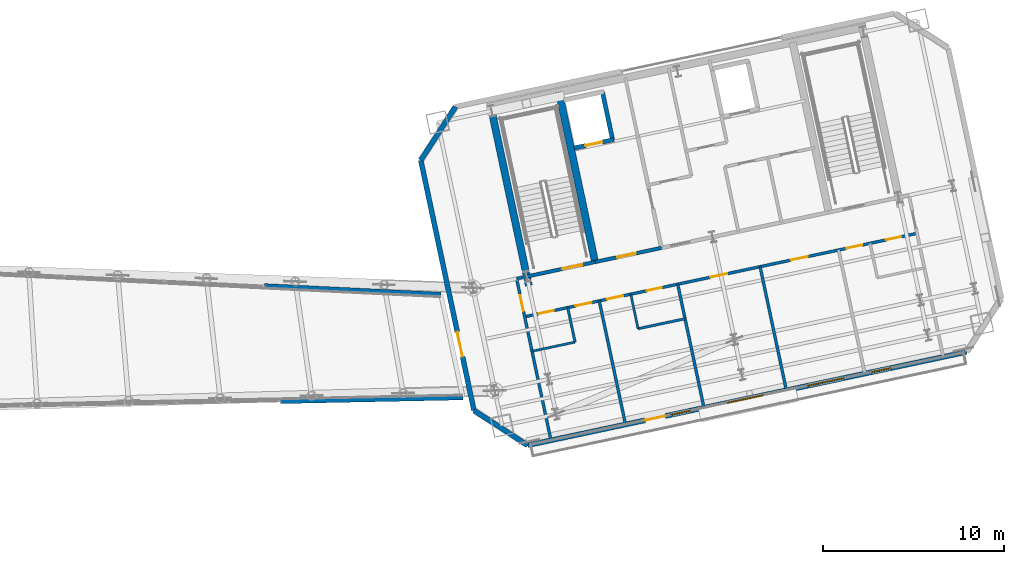
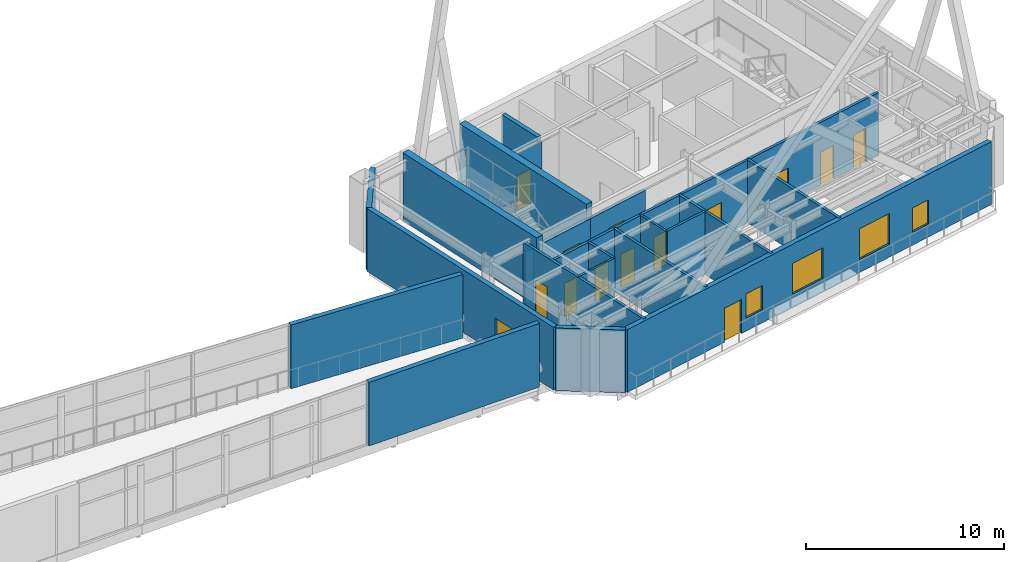
# One storey, part 17 of 23: 22 walls, 14 doors, 4 windows, 18 openings.
"""IFC4 building model written with IfcOpenShell, lengths in metres."""

from ifc_helpers import new_model, si_unit, direction, frame, frame_2d, origin, place, context, subcontext, project, spatial, rectangle, extrude, material, layer, layer_set, type_object, element, fill, save


model = new_model("IFC4")

# Units and contexts
model_context = context("Model", 3, precision=1e-05, world=origin(), true_north=direction((0.0, 1.0)))
body_context = subcontext(model_context, "Body", "Model", "MODEL_VIEW")
ifc_project = project(units=[si_unit("LENGTHUNIT", "METRE"), si_unit("AREAUNIT", "SQUARE_METRE"), si_unit("VOLUMEUNIT", "CUBIC_METRE"), si_unit("PLANEANGLEUNIT", "RADIAN"), si_unit("MASSUNIT", "GRAM", prefix="KILO")], contexts=[model_context])

# Site, building, storey
site_placement = place(None, origin())
site = spatial("IfcSite", under=ifc_project, at=site_placement, CompositionType="ELEMENT")
building_placement = place(site_placement, origin())
building = spatial("IfcBuilding", under=site, at=building_placement, Name="Haevon Station Towers", CompositionType="ELEMENT")
storey_placement = place(building_placement, frame((0.0, 0.0, 197.10009765625)))
storey = spatial("IfcBuildingStorey", under=building, at=storey_placement, Name="L54", CompositionType="ELEMENT", Elevation=197.10009765625)

# Wall, opening, door
ifc_material_1 = material(Name="Gypsum board on steel stud", Category="steel")
ifc_layer_1 = layer(ifc_material_1, 0.199951171875)
ifc_layer_set_1 = layer_set([ifc_layer_1], Name="Gypsum board on steel stud")
wall_type_1 = type_object("IfcWallType", Name="WL-COR200", PredefinedType="PARTITIONING", material=ifc_layer_set_1)
wall_1_placement = place(storey_placement, frame((98.75244140625, 37.4423828125, 0.0), z_axis=(0.0, 0.0, 1.0), x_axis=(0.978143537786, 0.207930804564, 0.0)))
wall_1 = element("IfcWall", 1, at=wall_1_placement, inside=storey, type_object=wall_type_1, Name="WL-ST-ST3-L54", PredefinedType="PARTITIONING", context=body_context, shape_type="SweptSolid", body=[
    extrude(rectangle(XDim=3.85009765625, YDim=0.199951171875, at=frame_2d((1.925048828125, 0.0))), origin(), (0.0, 0.0, 1.0), 3.27978515625),
])
opening_1_placement = place(wall_1_placement, frame((2.0, 0.0, 0.0)))
opening_1 = element("IfcOpeningElement", 2, at=opening_1_placement, cuts=wall_1, Name="Opening DR-ST-ST3-L54", PredefinedType="OPENING", context=body_context, shape_type="SweptSolid", body=[
    extrude(rectangle(XDim=1.1201171875, YDim=2.10009765625, at=frame_2d((0.56005859375, 1.050048828125))), frame((0.0, 0.10986328125, 0.0), z_axis=(0.0, -1.0, 0.0), x_axis=(1.0, 0.0, 0.0)), (0.0, 0.0, 1.0), 0.219970703125),
])
ifc_material_2 = material(Name="Engineered oak timber", Category="wood")
door_type_1 = type_object("IfcDoorType", Name="DR-ST-1120", OperationType="NOTDEFINED", PredefinedType="DOOR", material=ifc_material_2)
door_1_placement = place(opening_1_placement, origin())
door_1 = element("IfcDoor", 3, at=door_1_placement, inside=storey, type_object=door_type_1, Name="L54 Escape Stair ST3 Fire Door", OperationType="SINGLE_SWING_LEFT", OverallHeight=2.10009765625, OverallWidth=1.1201171875, PredefinedType="DOOR", context=body_context, shape_type="SweptSolid", body=[
    extrude(rectangle(XDim=1.1201171875, YDim=2.10009765625, at=frame_2d((0.56005859375, 1.050048828125))), frame((0.0, 0.02490234375, 0.0), z_axis=(0.0, -1.0, 0.0), x_axis=(1.0, 0.0, 0.0)), (0.0, 0.0, 1.0), 0.050048828125),
])
fill(opening_1, door_1)

wall_2_placement = place(storey_placement, frame((102.518310546875, 38.242919921875, 0.0), z_axis=(0.0, 0.0, 1.0), x_axis=(0.978153555683, 0.20788367301, 0.0)))
wall_2 = element("IfcWall", 4, at=wall_2_placement, inside=storey, type_object=wall_type_1, Name="WL-T2FFL-L54-S", PredefinedType="PARTITIONING", context=body_context, shape_type="SweptSolid", body=[
    extrude(rectangle(XDim=3.75, YDim=0.199951171875, at=frame_2d((1.875, 0.0))), origin(), (0.0, 0.0, 1.0), 3.27978515625),
])
opening_2_placement = place(wall_2_placement, frame((1.25, 0.0, 0.0)))
opening_2 = element("IfcOpeningElement", 5, at=opening_2_placement, cuts=wall_2, Name="Opening DR-T2FFL-L54-S", PredefinedType="OPENING", context=body_context, shape_type="SweptSolid", body=[
    extrude(rectangle(XDim=1.050048828125, YDim=2.10009765625, at=frame_2d((0.52490234375, 1.050048828125))), frame((0.0, 0.10986328125, 0.0), z_axis=(0.0, -1.0, 0.0), x_axis=(1.0, 0.0, 0.0)), (0.0, 0.0, 1.0), 0.219970703125),
])
door_type_2 = type_object("IfcDoorType", Name="DR-FD60-1050", OperationType="NOTDEFINED", PredefinedType="DOOR", material=ifc_material_2)
door_2_placement = place(opening_2_placement, origin())
door_2 = element("IfcDoor", 6, at=door_2_placement, inside=storey, type_object=door_type_2, Name="L54 Tower 2 Firefighting Lift Lobby Door S", OperationType="SINGLE_SWING_RIGHT", OverallHeight=2.10009765625, OverallWidth=1.050048828125, PredefinedType="DOOR", context=body_context, shape_type="SweptSolid", body=[
    extrude(rectangle(XDim=1.050048828125, YDim=2.10009765625, at=frame_2d((0.52490234375, 1.050048828125))), frame((0.0, 0.02490234375, 0.0), z_axis=(0.0, -1.0, 0.0), x_axis=(1.0, 0.0, 0.0)), (0.0, 0.0, 1.0), 0.050048828125),
])
fill(opening_2, door_2)

# Walls
ifc_material_3 = material(Name="Concrete C60/75", Category="concrete")
ifc_layer_2 = layer(ifc_material_3, 0.39990234375)
ifc_layer_set_2 = layer_set([ifc_layer_2], Name="Concrete C60/75")
wall_type_2 = type_object("IfcWallType", Name="WL-CR400", PredefinedType="SHEAR", material=ifc_layer_set_2)
wall_3_placement = place(storey_placement, frame((98.8603515625, 36.933837890625, 0.0), z_axis=(0.0, 0.0, 1.0), x_axis=(-0.20790924889, 0.978148119778, 0.0)))
element("IfcWall", 7, at=wall_3_placement, inside=storey, type_object=wall_type_2, Name="WL-T2CR-L54-W", PredefinedType="SHEAR", context=body_context, shape_type="SweptSolid", body=[
    extrude(rectangle(XDim=10.119873046875, YDim=0.39990234375, at=frame_2d((5.06005859375, 0.0))), origin(), (0.0, 0.0, 1.0), 4.199951171875),
])
wall_4_placement = place(storey_placement, frame((102.518310546875, 38.242919921875, 0.0), z_axis=(0.0, 0.0, 1.0), x_axis=(-0.207927495108, 0.978144241295, 0.0)))
element("IfcWall", 8, at=wall_4_placement, inside=storey, type_object=wall_type_2, Name="WL-T2CR-L54-M1", PredefinedType="SHEAR", context=body_context, shape_type="SweptSolid", body=[
    extrude(rectangle(XDim=9.599853515625, YDim=0.39990234375, at=frame_2d((4.7998046875, 0.0))), origin(), (0.0, 0.0, 1.0), 4.199951171875),
])

# Wall, openings, door, windows
ifc_material_4 = material(Name="Precast concrete C45/55", Category="concrete")
ifc_layer_3 = layer(ifc_material_4, 0.280029296875)
ifc_layer_set_3 = layer_set([ifc_layer_3], Name="Precast concrete C45/55")
wall_type_3 = type_object("IfcWallType", Name="WL-EXT-PIER280", PredefinedType="SOLIDWALL", material=ifc_layer_set_3)
wall_5_placement = place(storey_placement, frame((123.050048828125, 33.273193359375, 0.0), z_axis=(0.0, 0.0, 1.0), x_axis=(-0.97814726544, -0.207913268245, 0.0)))
wall_5 = element("IfcWall", 9, at=wall_5_placement, inside=storey, type_object=wall_type_3, Name="WL-T2-L54-S", PredefinedType="SOLIDWALL", context=body_context, shape_type="SweptSolid", body=[
    extrude(rectangle(XDim=24.800048828125, YDim=0.280029296875, at=frame_2d((12.39990234375, 0.0))), origin(), (0.0, 0.0, 1.0), 3.8798828125),
])
opening_3_placement = place(wall_5_placement, frame((17.01904296875, 0.0, 0.0)))
opening_3 = element("IfcOpeningElement", 10, at=opening_3_placement, cuts=wall_5, Name="Opening DR-T2-SKYG-L54", PredefinedType="OPENING", context=body_context, shape_type="SweptSolid", body=[
    extrude(rectangle(XDim=1.14990234375, YDim=2.10009765625, at=frame_2d((0.574951171875, 1.050048828125))), frame((0.0, 0.14990234375, 0.0), z_axis=(0.0, -1.0, 0.0), x_axis=(1.0, 0.0, 0.0)), (0.0, 0.0, 1.0), 0.300048828125),
])
opening_4_placement = place(wall_5_placement, frame((15.603515625, 0.0, 0.800048828125)))
opening_4 = element("IfcOpeningElement", 11, at=opening_4_placement, cuts=wall_5, Name="Opening WN-COR110", PredefinedType="OPENING", context=body_context, shape_type="SweptSolid", body=[
    extrude(rectangle(XDim=1.10009765625, YDim=1.5, at=frame_2d((0.550048828125, 0.75))), frame((0.0, 0.14990234375, 0.0), z_axis=(0.0, -1.0, 0.0), x_axis=(1.0, 0.0, 0.0)), (0.0, 0.0, 1.0), 0.300048828125),
])
opening_5_placement = place(wall_5_placement, frame((11.48583984375, 0.0, 0.800048828125)))
opening_5 = element("IfcOpeningElement", 12, at=opening_5_placement, cuts=wall_5, Name="Opening WN-P205", PredefinedType="OPENING", context=body_context, shape_type="SweptSolid", body=[
    extrude(rectangle(XDim=2.050048828125, YDim=1.89990234375, at=frame_2d((1.02490234375, 0.949951171875))), frame((0.0, 0.14990234375, 0.0), z_axis=(0.0, -1.0, 0.0), x_axis=(1.0, 0.0, 0.0)), (0.0, 0.0, 1.0), 0.300048828125),
])
opening_6_placement = place(wall_5_placement, frame((6.943115234375, 0.0, 0.800048828125)))
opening_6 = element("IfcOpeningElement", 13, at=opening_6_placement, cuts=wall_5, Name="Opening WN-P205", PredefinedType="OPENING", context=body_context, shape_type="SweptSolid", body=[
    extrude(rectangle(XDim=2.050048828125, YDim=1.89990234375, at=frame_2d((1.02490234375, 0.949951171875))), frame((0.0, 0.14990234375, 0.0), z_axis=(0.0, -1.0, 0.0), x_axis=(1.0, 0.0, 0.0)), (0.0, 0.0, 1.0), 0.300048828125),
])
opening_7_placement = place(wall_5_placement, frame((4.27197265625, 0.0, 0.800048828125)))
opening_7 = element("IfcOpeningElement", 14, at=opening_7_placement, cuts=wall_5, Name="Opening WN-COR110", PredefinedType="OPENING", context=body_context, shape_type="SweptSolid", body=[
    extrude(rectangle(XDim=1.10009765625, YDim=1.5, at=frame_2d((0.550048828125, 0.75))), frame((0.0, 0.14990234375, 0.0), z_axis=(0.0, -1.0, 0.0), x_axis=(1.0, 0.0, 0.0)), (0.0, 0.0, 1.0), 0.300048828125),
])
ifc_material_5 = material(Name="Thermally broken anodised aluminium and laminated safety glass", Category="aluminium")
door_type_3 = type_object("IfcDoorType", Name="DR-BALC-1150", OperationType="NOTDEFINED", PredefinedType="DOOR", material=ifc_material_5)
door_3_placement = place(opening_3_placement, origin())
door_3 = element("IfcDoor", 15, at=door_3_placement, inside=storey, type_object=door_type_3, Name="Tower 2 L54 Sky Garden Terrace Door", OperationType="SINGLE_SWING_RIGHT", OverallHeight=2.10009765625, OverallWidth=1.14990234375, PredefinedType="DOOR", context=body_context, shape_type="SweptSolid", body=[
    extrude(rectangle(XDim=1.14990234375, YDim=2.10009765625, at=frame_2d((0.574951171875, 1.050048828125))), frame((0.0, 0.02490234375, 0.0), z_axis=(0.0, -1.0, 0.0), x_axis=(1.0, 0.0, 0.0)), (0.0, 0.0, 1.0), 0.050048828125),
])
fill(opening_3, door_3)
ifc_material_6 = material(Name="Low-E triple glazing in thermally broken aluminium", Category="aluminium")
window_type_1 = type_object("IfcWindowType", Name="WN-COR110", PartitioningType="SINGLE_PANEL", PredefinedType="WINDOW", material=ifc_material_6)
window_1_placement = place(opening_4_placement, origin())
window_1 = element("IfcWindow", 16, at=window_1_placement, inside=storey, type_object=window_type_1, Name="WN-T2-L54-S01", OverallHeight=1.5, OverallWidth=1.10009765625, PartitioningType="SINGLE_PANEL", PredefinedType="WINDOW", context=body_context, shape_type="SweptSolid", body=[
    extrude(rectangle(XDim=1.10009765625, YDim=1.5, at=frame_2d((0.550048828125, 0.75))), frame((0.0, 0.030029296875, 0.0), z_axis=(0.0, -1.0, 0.0), x_axis=(1.0, 0.0, 0.0)), (0.0, 0.0, 1.0), 0.06005859375),
])
fill(opening_4, window_1)
window_2_placement = place(opening_7_placement, origin())
window_2 = element("IfcWindow", 17, at=window_2_placement, inside=storey, type_object=window_type_1, Name="WN-T2-L54-S04", OverallHeight=1.5, OverallWidth=1.10009765625, PartitioningType="SINGLE_PANEL", PredefinedType="WINDOW", context=body_context, shape_type="SweptSolid", body=[
    extrude(rectangle(XDim=1.10009765625, YDim=1.5, at=frame_2d((0.550048828125, 0.75))), frame((0.0, 0.030029296875, 0.0), z_axis=(0.0, -1.0, 0.0), x_axis=(1.0, 0.0, 0.0)), (0.0, 0.0, 1.0), 0.06005859375),
])
fill(opening_7, window_2)
window_type_2 = type_object("IfcWindowType", Name="WN-P205", PartitioningType="SINGLE_PANEL", PredefinedType="WINDOW", material=ifc_material_6)
window_3_placement = place(opening_5_placement, origin())
window_3 = element("IfcWindow", 18, at=window_3_placement, inside=storey, type_object=window_type_2, Name="WN-T2-L54-S02", OverallHeight=1.89990234375, OverallWidth=2.050048828125, PartitioningType="SINGLE_PANEL", PredefinedType="WINDOW", context=body_context, shape_type="SweptSolid", body=[
    extrude(rectangle(XDim=2.050048828125, YDim=1.89990234375, at=frame_2d((1.02490234375, 0.949951171875))), frame((0.0, 0.030029296875, 0.0), z_axis=(0.0, -1.0, 0.0), x_axis=(1.0, 0.0, 0.0)), (0.0, 0.0, 1.0), 0.06005859375),
])
fill(opening_5, window_3)
window_4_placement = place(opening_6_placement, origin())
window_4 = element("IfcWindow", 19, at=window_4_placement, inside=storey, type_object=window_type_2, Name="WN-T2-L54-S03", OverallHeight=1.89990234375, OverallWidth=2.050048828125, PartitioningType="SINGLE_PANEL", PredefinedType="WINDOW", context=body_context, shape_type="SweptSolid", body=[
    extrude(rectangle(XDim=2.050048828125, YDim=1.89990234375, at=frame_2d((1.02490234375, 0.949951171875))), frame((0.0, 0.030029296875, 0.0), z_axis=(0.0, -1.0, 0.0), x_axis=(1.0, 0.0, 0.0)), (0.0, 0.0, 1.0), 0.06005859375),
])
fill(opening_6, window_4)

# Wall
wall_6_placement = place(storey_placement, frame((98.7919921875, 28.116943359375, 0.0), z_axis=(0.0, 0.0, 1.0), x_axis=(-0.838672309694, 0.544636352948, 0.0)))
element("IfcWall", 20, at=wall_6_placement, inside=storey, type_object=wall_type_3, Name="WL-T2-L54-SWC", PredefinedType="SOLIDWALL", context=body_context, shape_type="SweptSolid", body=[
    extrude(rectangle(XDim=3.535400390625, YDim=0.280029296875, at=frame_2d((1.767578125, 0.0))), origin(), (0.0, 0.0, 1.0), 3.8798828125),
])

# Wall, opening, door
wall_7_placement = place(storey_placement, frame((95.826904296875, 30.04248046875, 0.0), z_axis=(0.0, 0.0, 1.0), x_axis=(-0.207907523802, 0.978148486451, 0.0)))
wall_7 = element("IfcWall", 21, at=wall_7_placement, inside=storey, type_object=wall_type_3, Name="WL-T2-L54-W", PredefinedType="SOLIDWALL", context=body_context, shape_type="SweptSolid", body=[
    extrude(rectangle(XDim=14.130126953125, YDim=0.280029296875, at=frame_2d((7.06494140625, 0.0))), origin(), (0.0, 0.0, 1.0), 3.8798828125),
])
opening_8_placement = place(wall_7_placement, frame((3.030029296875, 0.0, 0.0)))
opening_8 = element("IfcOpeningElement", 22, at=opening_8_placement, cuts=wall_7, Name="Opening DR-SKP-T2-L54", PredefinedType="OPENING", context=body_context, shape_type="SweptSolid", body=[
    extrude(rectangle(XDim=1.39990234375, YDim=2.14990234375, at=frame_2d((0.699951171875, 1.074951171875))), frame((0.0, 0.14990234375, 0.0), z_axis=(0.0, -1.0, 0.0), x_axis=(1.0, 0.0, 0.0)), (0.0, 0.0, 1.0), 0.300048828125),
])
door_type_4 = type_object("IfcDoorType", Name="DR-SKP-1400", OperationType="NOTDEFINED", PredefinedType="DOOR", material=ifc_material_5)
door_4_placement = place(opening_8_placement, origin())
door_4 = element("IfcDoor", 23, at=door_4_placement, inside=storey, type_object=door_type_4, Name="Sky-Park Bridge Level L54 Tower 2 Fire Link Door", OperationType="SINGLE_SWING_LEFT", OverallHeight=2.14990234375, OverallWidth=1.39990234375, PredefinedType="DOOR", context=body_context, shape_type="SweptSolid", body=[
    extrude(rectangle(XDim=1.39990234375, YDim=2.14990234375, at=frame_2d((0.699951171875, 1.074951171875))), frame((0.0, 0.02490234375, 0.0), z_axis=(0.0, -1.0, 0.0), x_axis=(1.0, 0.0, 0.0)), (0.0, 0.0, 1.0), 0.050048828125),
])
fill(opening_8, door_4)

# Walls
wall_8_placement = place(storey_placement, frame((92.88916015625, 43.86376953125, 0.0), z_axis=(0.0, 0.0, 1.0), x_axis=(0.544636352948, 0.838672309694, 0.0)))
element("IfcWall", 24, at=wall_8_placement, inside=storey, type_object=wall_type_3, Name="WL-T2-L54-NWC", PredefinedType="SOLIDWALL", context=body_context, shape_type="SweptSolid", body=[
    extrude(rectangle(XDim=3.535400390625, YDim=0.280029296875, at=frame_2d((1.767578125, 0.0))), origin(), (0.0, 0.0, 1.0), 3.8798828125),
])
wall_9_placement = place(storey_placement, frame((85.134033203125, 30.555419921875, 0.0), z_axis=(0.0, 0.0, 1.0), x_axis=(0.999792614118, 0.020364890246, 0.0)))
element("IfcWall", 25, at=wall_9_placement, inside=storey, type_object=wall_type_3, Name="WL-SKP-L54-SE", PredefinedType="SOLIDWALL", context=body_context, shape_type="SweptSolid", body=[
    extrude(rectangle(XDim=10.082275390625, YDim=0.280029296875, at=frame_2d((5.041015625, 0.0))), origin(), (0.0, 0.0, 1.0), 3.929931640625),
])
wall_10_placement = place(storey_placement, frame((84.253662109375, 36.910888671875, 0.0), z_axis=(0.0, 0.0, 1.0), x_axis=(0.998807509735, -0.048821701077, 0.0)))
element("IfcWall", 26, at=wall_10_placement, inside=storey, type_object=wall_type_3, Name="WL-SKP-L54-NE", PredefinedType="SOLIDWALL", context=body_context, shape_type="SweptSolid", body=[
    extrude(rectangle(XDim=9.766357421875, YDim=0.280029296875, at=frame_2d((4.88330078125, 0.0))), origin(), (0.0, 0.0, 1.0), 3.929931640625),
])
ifc_layer_4 = layer(ifc_material_1, 0.125)
ifc_layer_set_4 = layer_set([ifc_layer_4], Name="Gypsum board on steel stud")
wall_type_4 = type_object("IfcWallType", Name="WL-PRT125", PredefinedType="PARTITIONING", material=ifc_layer_set_4)
wall_11_placement = place(storey_placement, frame((99.037353515625, 33.3115234375, 0.0), z_axis=(0.0, 0.0, 1.0), x_axis=(0.978165487905, 0.207827520484, 0.0)))
element("IfcWall", 27, at=wall_11_placement, inside=storey, type_object=wall_type_4, Name="WL-T2PT-L54-05", PredefinedType="PARTITIONING", context=body_context, shape_type="SweptSolid", body=[
    extrude(rectangle(XDim=2.430419921875, YDim=0.125, at=frame_2d((1.21533203125, 0.0))), origin(), (0.0, 0.0, 1.0), 3.8798828125),
])
wall_12_placement = place(storey_placement, frame((104.89697265625, 34.556884765625, 0.0), z_axis=(0.0, 0.0, 1.0), x_axis=(-0.207947096322, 0.978140074392, 0.0)))
element("IfcWall", 28, at=wall_12_placement, inside=storey, type_object=wall_type_4, Name="WL-T2PT-L54-09", PredefinedType="PARTITIONING", context=body_context, shape_type="SweptSolid", body=[
    extrude(rectangle(XDim=1.9501953125, YDim=0.125, at=frame_2d((0.97509765625, 0.0))), origin(), (0.0, 0.0, 1.0), 3.8798828125),
])
ifc_layer_5 = layer(ifc_material_1, 0.139892578125)
ifc_layer_set_5 = layer_set([ifc_layer_5], Name="Gypsum board on steel stud")
wall_type_5 = type_object("IfcWallType", Name="WL-PRT140", PredefinedType="PARTITIONING", material=ifc_layer_set_5)
wall_13_placement = place(storey_placement, frame((101.414794921875, 33.816650390625, 0.0), z_axis=(0.0, 0.0, 1.0), x_axis=(-0.207947096322, 0.978140074392, 0.0)))
element("IfcWall", 29, at=wall_13_placement, inside=storey, type_object=wall_type_5, Name="WL-T2PT-L54-06", PredefinedType="PARTITIONING", context=body_context, shape_type="SweptSolid", body=[
    extrude(rectangle(XDim=1.9501953125, YDim=0.139892578125, at=frame_2d((0.97509765625, 0.0))), origin(), (0.0, 0.0, 1.0), 3.8798828125),
])
wall_14_placement = place(storey_placement, frame((104.89697265625, 34.556884765625, 0.0), z_axis=(0.0, 0.0, 1.0), x_axis=(0.978155341176, 0.207875271565, 0.0)))
element("IfcWall", 30, at=wall_14_placement, inside=storey, type_object=wall_type_5, Name="WL-T2PT-L54-08", PredefinedType="PARTITIONING", context=body_context, shape_type="SweptSolid", body=[
    extrude(rectangle(XDim=2.65185546875, YDim=0.139892578125, at=frame_2d((1.325927734375, 0.0))), origin(), (0.0, 0.0, 1.0), 3.8798828125),
])
ifc_layer_6 = layer(ifc_material_1, 0.159912109375)
ifc_layer_set_6 = layer_set([ifc_layer_6], Name="Gypsum board on steel stud")
wall_type_6 = type_object("IfcWallType", Name="WL-PRT160", PredefinedType="PARTITIONING", material=ifc_layer_set_6)
wall_15_placement = place(storey_placement, frame((98.18505859375, 37.32177734375, 0.0), z_axis=(0.0, 0.0, 1.0), x_axis=(0.978146012851, 0.207919161079, 0.0)))
element("IfcWall", 31, at=wall_15_placement, inside=storey, type_object=wall_type_6, Name="WL-T2PT-L54-01", PredefinedType="PARTITIONING", context=body_context, shape_type="SweptSolid", body=[
    extrude(rectangle(XDim=0.580078125, YDim=0.159912109375, at=frame_2d((0.2900390625, 0.0))), origin(), (0.0, 0.0, 1.0), 3.27978515625),
])

# Wall, opening, door
wall_16_placement = place(storey_placement, frame((100.083251953125, 28.391357421875, 0.0), z_axis=(0.0, 0.0, 1.0), x_axis=(-0.207908966823, 0.978148179733, 0.0)))
wall_16 = element("IfcWall", 32, at=wall_16_placement, inside=storey, type_object=wall_type_6, Name="WL-T2PT-L54-03", PredefinedType="PARTITIONING", context=body_context, shape_type="SweptSolid", body=[
    extrude(rectangle(XDim=9.1298828125, YDim=0.159912109375, at=frame_2d((4.56494140625, 0.0))), origin(), (0.0, 0.0, 1.0), 3.8798828125),
])
opening_9_placement = place(wall_16_placement, frame((7.300048828125, 0.0, 0.0)))
opening_9 = element("IfcOpeningElement", 33, at=opening_9_placement, cuts=wall_16, Name="Opening DR-WL-T2PT-L54-03-01", PredefinedType="OPENING", context=body_context, shape_type="SweptSolid", body=[
    extrude(rectangle(XDim=0.89990234375, YDim=2.050048828125, at=frame_2d((0.449951171875, 1.02490234375))), frame((0.0, 0.08984375, 0.0), z_axis=(0.0, -1.0, 0.0), x_axis=(1.0, 0.0, 0.0)), (0.0, 0.0, 1.0), 0.179931640625),
])
door_type_5 = type_object("IfcDoorType", Name="DR-INT-900", OperationType="NOTDEFINED", PredefinedType="DOOR", material=ifc_material_2)
door_5_placement = place(opening_9_placement, origin())
door_5 = element("IfcDoor", 34, at=door_5_placement, inside=storey, type_object=door_type_5, Name="L54 Tower 2 Room Door 3-1", OperationType="SINGLE_SWING_LEFT", OverallHeight=2.050048828125, OverallWidth=0.89990234375, PredefinedType="DOOR", context=body_context, shape_type="SweptSolid", body=[
    extrude(rectangle(XDim=0.89990234375, YDim=2.050048828125, at=frame_2d((0.449951171875, 1.02490234375))), frame((0.0, 0.02490234375, 0.0), z_axis=(0.0, -1.0, 0.0), x_axis=(1.0, 0.0, 0.0)), (0.0, 0.0, 1.0), 0.050048828125),
])
fill(opening_9, door_5)

# Walls
for number, where, z_axis, x_axis, name in (
    (35, (104.20166015625, 29.266845703125, 0.0), (0.0, 0.0, 1.0), (-0.207906863497, 0.9781486268, 0.0), "WL-T2PT-L54-07"),
    (36, (108.536865234375, 30.188232421875, 0.0), (0.0, 0.0, 1.0), (-0.207906863497, 0.9781486268, 0.0), "WL-T2PT-L54-10"),
    (37, (113.088623046875, 31.15576171875, 0.0), (0.0, 0.0, 1.0), (-0.207906863497, 0.9781486268, 0.0), "WL-T2PT-L54-11"),
):
    element("IfcWall", number, at=place(storey_placement, frame(where, z_axis=z_axis, x_axis=x_axis)), inside=storey, type_object=wall_type_6, Name=name, PredefinedType="PARTITIONING", context=body_context, shape_type="SweptSolid", body=[
        extrude(rectangle(XDim=6.97998046875, YDim=0.159912109375, at=frame_2d((3.489990234375, 0.0))), origin(), (0.0, 0.0, 1.0), 3.8798828125),
    ])

# Wall, openings, doors
wall_17_placement = place(storey_placement, frame((98.632080078125, 35.21875, 0.0), z_axis=(0.0, 0.0, 1.0), x_axis=(0.978146753289, 0.207915677691, 0.0)))
wall_17 = element("IfcWall", 38, at=wall_17_placement, inside=storey, type_object=wall_type_6, Name="WL-T2PT-L54-15", PredefinedType="PARTITIONING", context=body_context, shape_type="SweptSolid", body=[
    extrude(rectangle(XDim=22.16015625, YDim=0.159912109375, at=frame_2d((11.080078125, 0.0))), origin(), (0.0, 0.0, 1.0), 3.8798828125),
])
opening_10_placement = place(wall_17_placement, frame((0.7900390625, 0.0, 0.0)))
opening_10 = element("IfcOpeningElement", 39, at=opening_10_placement, cuts=wall_17, Name="Opening DR-WL-T2PT-L54-15-01", PredefinedType="OPENING", context=body_context, shape_type="SweptSolid", body=[
    extrude(rectangle(XDim=0.85009765625, YDim=2.050048828125, at=frame_2d((0.425048828125, 1.02490234375))), frame((0.0, 0.08984375, 0.0), z_axis=(0.0, -1.0, 0.0), x_axis=(1.0, 0.0, 0.0)), (0.0, 0.0, 1.0), 0.179931640625),
])
opening_11_placement = place(wall_17_placement, frame((2.8701171875, 0.0, 0.0)))
opening_11 = element("IfcOpeningElement", 40, at=opening_11_placement, cuts=wall_17, Name="Opening DR-WL-T2PT-L54-15-02", PredefinedType="OPENING", context=body_context, shape_type="SweptSolid", body=[
    extrude(rectangle(XDim=0.89990234375, YDim=2.050048828125, at=frame_2d((0.449951171875, 1.02490234375))), frame((0.0, 0.08984375, 0.0), z_axis=(0.0, -1.0, 0.0), x_axis=(1.0, 0.0, 0.0)), (0.0, 0.0, 1.0), 0.179931640625),
])
opening_12_placement = place(wall_17_placement, frame((6.89111328125, 0.0, 0.0)))
opening_12 = element("IfcOpeningElement", 41, at=opening_12_placement, cuts=wall_17, Name="Opening DR-WL-T2PT-L54-15-03", PredefinedType="OPENING", context=body_context, shape_type="SweptSolid", body=[
    extrude(rectangle(XDim=0.85009765625, YDim=2.050048828125, at=frame_2d((0.425048828125, 1.02490234375))), frame((0.0, 0.08984375, 0.0), z_axis=(0.0, -1.0, 0.0), x_axis=(1.0, 0.0, 0.0)), (0.0, 0.0, 1.0), 0.179931640625),
])
opening_13_placement = place(wall_17_placement, frame((4.64990234375, 0.0, 0.0)))
opening_13 = element("IfcOpeningElement", 42, at=opening_13_placement, cuts=wall_17, Name="Opening DR-WL-T2PT-L54-15-04", PredefinedType="OPENING", context=body_context, shape_type="SweptSolid", body=[
    extrude(rectangle(XDim=0.89990234375, YDim=2.050048828125, at=frame_2d((0.449951171875, 1.02490234375))), frame((0.0, 0.08984375, 0.0), z_axis=(0.0, -1.0, 0.0), x_axis=(1.0, 0.0, 0.0)), (0.0, 0.0, 1.0), 0.179931640625),
])
opening_14_placement = place(wall_17_placement, frame((10.493896484375, 0.0, 0.0)))
opening_14 = element("IfcOpeningElement", 43, at=opening_14_placement, cuts=wall_17, Name="Opening DR-WL-T2PT-L54-15-05", PredefinedType="OPENING", context=body_context, shape_type="SweptSolid", body=[
    extrude(rectangle(XDim=0.949951171875, YDim=2.10009765625, at=frame_2d((0.47509765625, 1.050048828125))), frame((0.0, 0.08984375, 0.0), z_axis=(0.0, -1.0, 0.0), x_axis=(1.0, 0.0, 0.0)), (0.0, 0.0, 1.0), 0.179931640625),
])
opening_15_placement = place(wall_17_placement, frame((15.037109375, 0.0, 0.0)))
opening_15 = element("IfcOpeningElement", 44, at=opening_15_placement, cuts=wall_17, Name="Opening DR-WL-T2PT-L54-15-06", PredefinedType="OPENING", context=body_context, shape_type="SweptSolid", body=[
    extrude(rectangle(XDim=0.949951171875, YDim=2.10009765625, at=frame_2d((0.47509765625, 1.050048828125))), frame((0.0, 0.08984375, 0.0), z_axis=(0.0, -1.0, 0.0), x_axis=(1.0, 0.0, 0.0)), (0.0, 0.0, 1.0), 0.179931640625),
])
opening_16_placement = place(wall_17_placement, frame((20.408935546875, 0.0, 0.0)))
opening_16 = element("IfcOpeningElement", 45, at=opening_16_placement, cuts=wall_17, Name="Opening DR-WL-T2PT-L54-15-07", PredefinedType="OPENING", context=body_context, shape_type="SweptSolid", body=[
    extrude(rectangle(XDim=0.85009765625, YDim=2.050048828125, at=frame_2d((0.425048828125, 1.02490234375))), frame((0.0, 0.08984375, 0.0), z_axis=(0.0, -1.0, 0.0), x_axis=(1.0, 0.0, 0.0)), (0.0, 0.0, 1.0), 0.179931640625),
])
opening_17_placement = place(wall_17_placement, frame((18.16796875, 0.0, 0.0)))
opening_17 = element("IfcOpeningElement", 46, at=opening_17_placement, cuts=wall_17, Name="Opening DR-WL-T2PT-L54-15-08", PredefinedType="OPENING", context=body_context, shape_type="SweptSolid", body=[
    extrude(rectangle(XDim=0.89990234375, YDim=2.050048828125, at=frame_2d((0.449951171875, 1.02490234375))), frame((0.0, 0.08984375, 0.0), z_axis=(0.0, -1.0, 0.0), x_axis=(1.0, 0.0, 0.0)), (0.0, 0.0, 1.0), 0.179931640625),
])
door_type_6 = type_object("IfcDoorType", Name="DR-FD30-850", OperationType="NOTDEFINED", PredefinedType="DOOR", material=ifc_material_2)
door_6_placement = place(opening_10_placement, origin())
door_6 = element("IfcDoor", 47, at=door_6_placement, inside=storey, type_object=door_type_6, Name="L54 Tower 2 Room Door 15-1", OperationType="SINGLE_SWING_LEFT", OverallHeight=2.050048828125, OverallWidth=0.85009765625, PredefinedType="DOOR", context=body_context, shape_type="SweptSolid", body=[
    extrude(rectangle(XDim=0.85009765625, YDim=2.050048828125, at=frame_2d((0.425048828125, 1.02490234375))), frame((0.0, 0.02490234375, 0.0), z_axis=(0.0, -1.0, 0.0), x_axis=(1.0, 0.0, 0.0)), (0.0, 0.0, 1.0), 0.050048828125),
])
fill(opening_10, door_6)
door_7_placement = place(opening_12_placement, origin())
door_7 = element("IfcDoor", 48, at=door_7_placement, inside=storey, type_object=door_type_6, Name="L54 Tower 2 Room Door 15-3", OperationType="SINGLE_SWING_LEFT", OverallHeight=2.050048828125, OverallWidth=0.85009765625, PredefinedType="DOOR", context=body_context, shape_type="SweptSolid", body=[
    extrude(rectangle(XDim=0.85009765625, YDim=2.050048828125, at=frame_2d((0.425048828125, 1.02490234375))), frame((0.0, 0.02490234375, 0.0), z_axis=(0.0, -1.0, 0.0), x_axis=(1.0, 0.0, 0.0)), (0.0, 0.0, 1.0), 0.050048828125),
])
fill(opening_12, door_7)
door_8_placement = place(opening_16_placement, origin())
door_8 = element("IfcDoor", 49, at=door_8_placement, inside=storey, type_object=door_type_6, Name="L54 Tower 2 Room Door 15-7", OperationType="SINGLE_SWING_LEFT", OverallHeight=2.050048828125, OverallWidth=0.85009765625, PredefinedType="DOOR", context=body_context, shape_type="SweptSolid", body=[
    extrude(rectangle(XDim=0.85009765625, YDim=2.050048828125, at=frame_2d((0.425048828125, 1.02490234375))), frame((0.0, 0.02490234375, 0.0), z_axis=(0.0, -1.0, 0.0), x_axis=(1.0, 0.0, 0.0)), (0.0, 0.0, 1.0), 0.050048828125),
])
fill(opening_16, door_8)
door_type_7 = type_object("IfcDoorType", Name="DR-FD30-950", OperationType="NOTDEFINED", PredefinedType="DOOR", material=ifc_material_2)
door_9_placement = place(opening_14_placement, origin())
door_9 = element("IfcDoor", 50, at=door_9_placement, inside=storey, type_object=door_type_7, Name="L54 Tower 2 Room Door 15-5", OperationType="SINGLE_SWING_LEFT", OverallHeight=2.10009765625, OverallWidth=0.949951171875, PredefinedType="DOOR", context=body_context, shape_type="SweptSolid", body=[
    extrude(rectangle(XDim=0.949951171875, YDim=2.10009765625, at=frame_2d((0.47509765625, 1.050048828125))), frame((0.0, 0.02490234375, 0.0), z_axis=(0.0, -1.0, 0.0), x_axis=(1.0, 0.0, 0.0)), (0.0, 0.0, 1.0), 0.050048828125),
])
fill(opening_14, door_9)
door_10_placement = place(opening_15_placement, origin())
door_10 = element("IfcDoor", 51, at=door_10_placement, inside=storey, type_object=door_type_7, Name="L54 Tower 2 Room Door 15-6", OperationType="SINGLE_SWING_RIGHT", OverallHeight=2.10009765625, OverallWidth=0.949951171875, PredefinedType="DOOR", context=body_context, shape_type="SweptSolid", body=[
    extrude(rectangle(XDim=0.949951171875, YDim=2.10009765625, at=frame_2d((0.47509765625, 1.050048828125))), frame((0.0, 0.02490234375, 0.0), z_axis=(0.0, -1.0, 0.0), x_axis=(1.0, 0.0, 0.0)), (0.0, 0.0, 1.0), 0.050048828125),
])
fill(opening_15, door_10)
door_11_placement = place(opening_11_placement, origin())
door_11 = element("IfcDoor", 52, at=door_11_placement, inside=storey, type_object=door_type_5, Name="L54 Tower 2 Room Door 15-2", OperationType="SINGLE_SWING_RIGHT", OverallHeight=2.050048828125, OverallWidth=0.89990234375, PredefinedType="DOOR", context=body_context, shape_type="SweptSolid", body=[
    extrude(rectangle(XDim=0.89990234375, YDim=2.050048828125, at=frame_2d((0.449951171875, 1.02490234375))), frame((0.0, 0.02490234375, 0.0), z_axis=(0.0, -1.0, 0.0), x_axis=(1.0, 0.0, 0.0)), (0.0, 0.0, 1.0), 0.050048828125),
])
fill(opening_11, door_11)
door_12_placement = place(opening_13_placement, origin())
door_12 = element("IfcDoor", 53, at=door_12_placement, inside=storey, type_object=door_type_5, Name="L54 Tower 2 Room Door 15-4", OperationType="SINGLE_SWING_RIGHT", OverallHeight=2.050048828125, OverallWidth=0.89990234375, PredefinedType="DOOR", context=body_context, shape_type="SweptSolid", body=[
    extrude(rectangle(XDim=0.89990234375, YDim=2.050048828125, at=frame_2d((0.449951171875, 1.02490234375))), frame((0.0, 0.02490234375, 0.0), z_axis=(0.0, -1.0, 0.0), x_axis=(1.0, 0.0, 0.0)), (0.0, 0.0, 1.0), 0.050048828125),
])
fill(opening_13, door_12)
door_13_placement = place(opening_17_placement, origin())
door_13 = element("IfcDoor", 54, at=door_13_placement, inside=storey, type_object=door_type_5, Name="L54 Tower 2 Room Door 15-8", OperationType="SINGLE_SWING_RIGHT", OverallHeight=2.050048828125, OverallWidth=0.89990234375, PredefinedType="DOOR", context=body_context, shape_type="SweptSolid", body=[
    extrude(rectangle(XDim=0.89990234375, YDim=2.050048828125, at=frame_2d((0.449951171875, 1.02490234375))), frame((0.0, 0.02490234375, 0.0), z_axis=(0.0, -1.0, 0.0), x_axis=(1.0, 0.0, 0.0)), (0.0, 0.0, 1.0), 0.050048828125),
])
fill(opening_17, door_13)

# Wall, opening, door
ifc_material_7 = material(Name="Concrete C40/50", Category="concrete")
ifc_layer_7 = layer(ifc_material_7, 0.239990234375)
ifc_layer_set_7 = layer_set([ifc_layer_7], Name="Concrete C40/50")
wall_type_7 = type_object("IfcWallType", Name="WL-SHF240", PredefinedType="PARTITIONING", material=ifc_layer_set_7)
wall_18_placement = place(storey_placement, frame((101.353759765625, 44.538330078125, 0.0), z_axis=(0.0, 0.0, 1.0), x_axis=(0.978141002414, 0.207942731049, 0.0)))
wall_18 = element("IfcWall", 55, at=wall_18_placement, inside=storey, type_object=wall_type_7, Name="WL-SHF-FL2-L54", PredefinedType="PARTITIONING", context=body_context, shape_type="SweptSolid", body=[
    extrude(rectangle(XDim=2.260009765625, YDim=0.239990234375, at=frame_2d((1.1298828125, 0.0))), origin(), (0.0, 0.0, 1.0), 3.579833984375),
])
opening_18_placement = place(wall_18_placement, frame((0.655029296875, 0.0, 0.0)))
opening_18 = element("IfcOpeningElement", 56, at=opening_18_placement, cuts=wall_18, Name="Opening LD-FL2-L54", PredefinedType="OPENING", context=body_context, shape_type="SweptSolid", body=[
    extrude(rectangle(XDim=0.949951171875, YDim=2.14990234375, at=frame_2d((0.47509765625, 1.074951171875))), frame((0.0, 0.1298828125, 0.0), z_axis=(0.0, -1.0, 0.0), x_axis=(1.0, 0.0, 0.0)), (0.0, 0.0, 1.0), 0.260009765625),
])
ifc_material_8 = material(Name="Stainless steel and rated core", Category="steel")
door_type_8 = type_object("IfcDoorType", Name="LD-FL950", OperationType="SLIDING_TO_LEFT", PredefinedType="DOOR", material=ifc_material_8)
door_14_placement = place(opening_18_placement, origin())
door_14 = element("IfcDoor", 57, at=door_14_placement, inside=storey, type_object=door_type_8, Name="L54 Lift FL2 Sliding Landing Door", OperationType="SLIDING_TO_LEFT", OverallHeight=2.14990234375, OverallWidth=0.949951171875, PredefinedType="DOOR", context=body_context, shape_type="SweptSolid", body=[
    extrude(rectangle(XDim=0.949951171875, YDim=2.14990234375, at=frame_2d((0.47509765625, 1.074951171875))), frame((0.0, 0.02490234375, 0.0), z_axis=(0.0, -1.0, 0.0), x_axis=(1.0, 0.0, 0.0)), (0.0, 0.0, 1.0), 0.050048828125),
])
fill(opening_18, door_14)

# Wall
wall_19_placement = place(storey_placement, frame((103.486328125, 44.99169921875, 0.0), z_axis=(0.0, 0.0, 1.0), x_axis=(-0.207978798957, 0.978133334052, 0.0)))
element("IfcWall", 58, at=wall_19_placement, inside=storey, type_object=wall_type_7, Name="WL-SHF-FL2-L54-E", PredefinedType="PARTITIONING", context=body_context, shape_type="SweptSolid", body=[
    extrude(rectangle(XDim=2.699951171875, YDim=0.239990234375, at=frame_2d((1.35009765625, 0.0))), origin(), (0.0, 0.0, 1.0), 3.8798828125),
])

save(model, "model.ifc")
